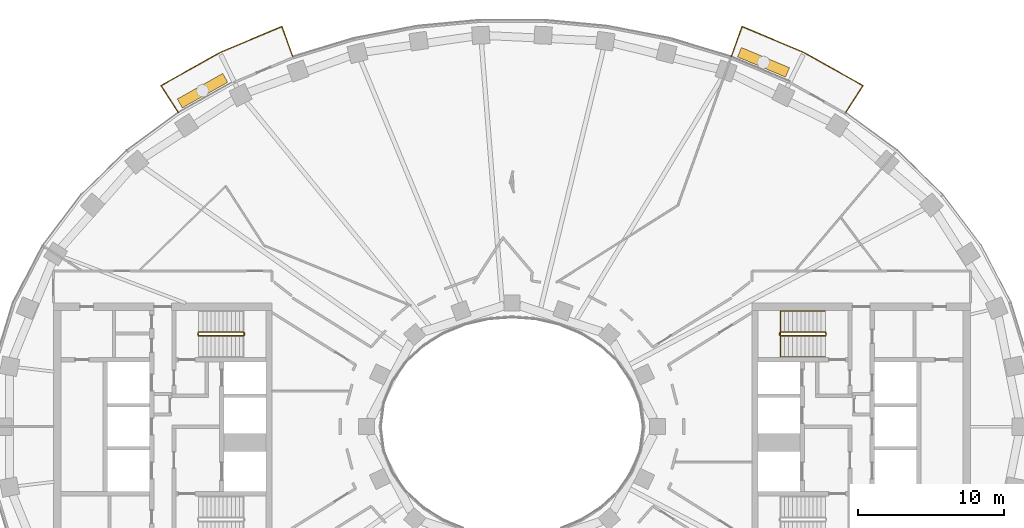
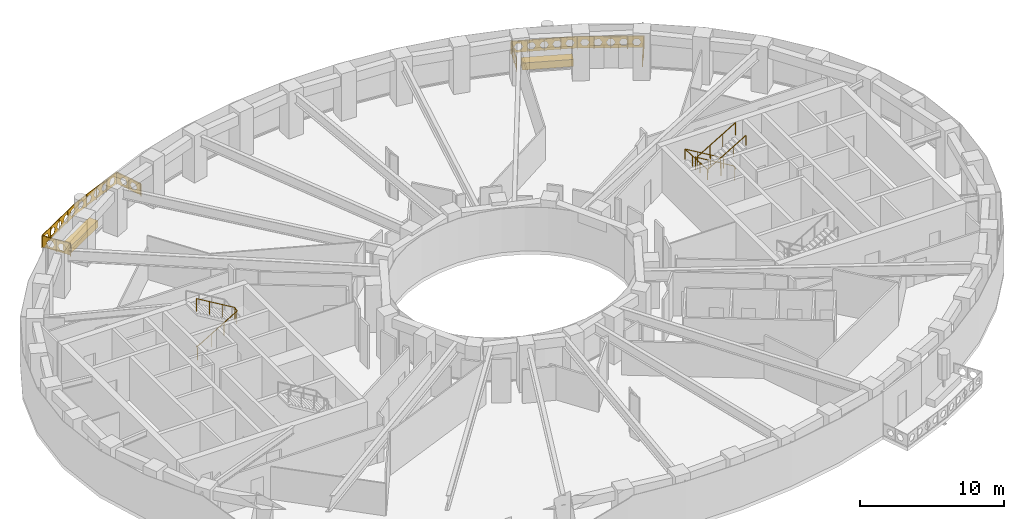
# One storey, part 14 of 15: 5 railings, 2 coverings.
"""IFC4 building model written with IfcOpenShell, lengths in metres."""

import ifcopenshell
import ifcopenshell.guid

model = None  # the IFC model being written
_history = None  # IfcOwnerHistory: only IFC2X3 demands one
_inside = {}  # id of a spatial element -> (the spatial element, [elements in it])
_under = {}  # id of a project, library or spatial element -> (it, [spatial elements below it])
_declared = {}  # id of a project -> (the project, [libraries it declares])
_typed = {}  # id of a type object -> (the type object, [elements of that type])
_made_of = {}  # id of a material, layer set ... -> (it, [elements and type objects made of it])


def new_model(schema):
    """Start an empty IFC model of exactly this schema.

    Asked for "IFC4X3", IfcOpenShell would pick the latest addendum, in which some entities
    have other attributes; the version numbers below select the first issue.
    IFC2X3 requires an IfcOwnerHistory on every rooted entity: one is made here for all.
    """
    global model, _history
    if schema == "IFC4X3":
        model = ifcopenshell.file(schema_version=(4, 3, 0, 0))
    else:
        model = ifcopenshell.file(schema=schema)
    _inside.clear()
    _under.clear()
    _declared.clear()
    _typed.clear()
    _made_of.clear()
    _history = None
    if model.schema == "IFC2X3":
        org = make("IfcOrganization", Name="unknown")
        user = make(
            "IfcPersonAndOrganization",
            ThePerson=make("IfcPerson", FamilyName="unknown"),
            TheOrganization=org,
        )
        app = make(
            "IfcApplication",
            ApplicationDeveloper=org,
            Version="unknown",
            ApplicationFullName="unknown",
            ApplicationIdentifier="unknown",
        )
        _history = make(
            "IfcOwnerHistory",
            OwningUser=user,
            OwningApplication=app,
            ChangeAction="ADDED",
            CreationDate=0,
        )
    return model


def make(cls, **values):
    """One entity of the class cls with the attributes given. An attribute that is None is left unset."""
    return model.create_entity(
        cls, **{name: value for name, value in values.items() if value is not None}
    )


def rooted(cls, **values):
    """An entity with a GlobalId (a new one), such as an element, a storey or a relation."""
    return make(cls, GlobalId=ifcopenshell.guid.new(), OwnerHistory=_history, **values)


def si_unit(unit_type, name, prefix=None):
    """IfcSIUnit, for example si_unit("LENGTHUNIT", "METRE", prefix="MILLI")."""
    return make("IfcSIUnit", UnitType=unit_type, Prefix=prefix, Name=name)


def assignment(units):
    """IfcUnitAssignment: the units of a project."""
    return None if units is None else make("IfcUnitAssignment", Units=units)


def point(xyz):
    """IfcCartesianPoint."""
    return None if xyz is None else make("IfcCartesianPoint", Coordinates=xyz)


def direction(xyz):
    """IfcDirection."""
    return None if xyz is None else make("IfcDirection", DirectionRatios=xyz)


def frame(location, z_axis=None, x_axis=None):
    """IfcAxis2Placement3D, a coordinate frame: its origin and axes. An axis left out is left unset."""
    return make(
        "IfcAxis2Placement3D",
        Location=point(location),
        Axis=direction(z_axis),
        RefDirection=direction(x_axis),
    )


def frame_2d(location, x_axis=None):
    """IfcAxis2Placement2D, a coordinate frame in the plane: its origin and x axis."""
    return make(
        "IfcAxis2Placement2D", Location=point(location), RefDirection=direction(x_axis)
    )


def origin():
    """The frame at (0, 0, 0) with its axes left unset."""
    return frame((0.0, 0.0, 0.0))


def origin_2d():
    """The frame at (0, 0) in the plane with its x axis left unset."""
    return frame_2d((0.0, 0.0))


def place(relative_to, where):
    """IfcLocalPlacement: puts the frame where relative to a parent placement (None: the world)."""
    return make(
        "IfcLocalPlacement", PlacementRelTo=relative_to, RelativePlacement=where
    )


def context(
    kind, dimensions, precision=None, world=None, true_north=None, identifier=None
):
    """IfcGeometricRepresentationContext, for example the 3D "Model" context."""
    return make(
        "IfcGeometricRepresentationContext",
        ContextIdentifier=identifier,
        ContextType=kind,
        CoordinateSpaceDimension=dimensions,
        Precision=precision,
        WorldCoordinateSystem=world,
        TrueNorth=true_north,
    )


def subcontext(parent, identifier, kind, view, scale=None):
    """IfcGeometricRepresentationSubContext, for example "Body" below "Model"."""
    return make(
        "IfcGeometricRepresentationSubContext",
        ContextIdentifier=identifier,
        ContextType=kind,
        ParentContext=parent,
        TargetScale=scale,
        TargetView=view,
    )


def project(units=None, contexts=None):
    """IfcProject with its units and contexts."""
    return rooted(
        "IfcProject",
        Name="project",
        RepresentationContexts=contexts,
        UnitsInContext=assignment(units),
    )


def spatial(cls, under=None, at=None, **own):
    """A site, building, storey or space (cls), placed at a placement, below another one or the project."""
    s = rooted(cls, ObjectPlacement=at, **own)
    if under is not None:
        _under.setdefault(under.id(), (under, []))[1].append(s)
    return s


def polyline(points):
    """IfcPolyline through the points."""
    return make("IfcPolyline", Points=[point(p) for p in points])


def profile(cls, at=None, kind="AREA", **sizes):
    """A parametric profile (cls). Its sizes go by their IFC names, for example OverallWidth=200.0."""
    return make(cls, ProfileType=kind, Position=at, **sizes)


def rectangle(**sizes):
    """IfcRectangleProfileDef."""
    return profile("IfcRectangleProfileDef", **sizes)


def outline(outer, holes=None, kind="AREA"):
    """IfcArbitraryClosedProfileDef: a profile drawn as a closed curve; with holes, ...WithVoids."""
    if holes is None:
        return make("IfcArbitraryClosedProfileDef", ProfileType=kind, OuterCurve=outer)
    return make(
        "IfcArbitraryProfileDefWithVoids",
        ProfileType=kind,
        OuterCurve=outer,
        InnerCurves=holes,
    )


def extrude(swept, where, along, depth):
    """IfcExtrudedAreaSolid: the profile swept, set in the frame where, extruded along a direction by depth."""
    return make(
        "IfcExtrudedAreaSolid",
        SweptArea=swept,
        Position=where,
        ExtrudedDirection=direction(along),
        Depth=depth,
    )


def shape(context_of_items, identifier, shape_type, items):
    """IfcShapeRepresentation: the items that make up one representation, for example the "Body"."""
    return make(
        "IfcShapeRepresentation",
        ContextOfItems=context_of_items,
        RepresentationIdentifier=identifier,
        RepresentationType=shape_type,
        Items=items,
    )


def material(Name=None, Category=None):
    """IfcMaterial."""
    return make("IfcMaterial", Name=Name, Category=Category)


def made_of(thing, what):
    """Note that an element or type object is made of a material, layer set ...; save() writes the relation."""
    if what is not None:
        _made_of.setdefault(what.id(), (what, []))[1].append(thing)
    return thing


def type_object(cls, material=None, **own):
    """A type object (cls), such as IfcWallType, which elements share."""
    return made_of(rooted(cls, **own), material)


def element(
    cls,
    number,
    at=None,
    inside=None,
    cuts=None,
    type_object=None,
    material=None,
    context=None,
    identifier="Body",
    shape_type=None,
    held_by="IfcProductDefinitionShape",
    body=None,
    shapes=None,
    **own,
):
    """One element of the class cls, such as IfcWall. Its Tag is "e" and its number.

    at: its placement. inside: the storey or other place that contains it. cuts: it is an
    opening in that element (IfcRelVoidsElement). A single representation is given by context,
    identifier, shape_type and body (its items); several are given by shapes. held_by: the class
    of the entity that holds the representations. save() writes the other relations.
    """
    e = rooted(cls, Tag="e%d" % number, ObjectPlacement=at, **own)
    if body is not None:
        shapes = [shape(context, identifier, shape_type, body)]
    if shapes is not None:
        e.Representation = make(held_by, Representations=shapes)
    if inside is not None:
        _inside.setdefault(inside.id(), (inside, []))[1].append(e)
    if cuts is not None:
        rooted(
            "IfcRelVoidsElement", RelatingBuildingElement=cuts, RelatedOpeningElement=e
        )
    if type_object is not None:
        _typed.setdefault(type_object.id(), (type_object, []))[1].append(e)
    return made_of(e, material)


def aggregate(whole, parts):
    """IfcRelAggregates: a whole, such as a stair, and the parts it consists of."""
    return rooted("IfcRelAggregates", RelatingObject=whole, RelatedObjects=parts)


def save(model, path):
    """Write the relations noted so far, then the file.

    IfcRelAggregates (storeys below a building ...), IfcRelContainedInSpatialStructure (elements
    in a storey), IfcRelDefinesByType, IfcRelAssociatesMaterial and IfcRelDeclares: one each for
    every whole, place, type object, material and project.
    """
    for whole, parts in _under.values():
        aggregate(whole, parts)
    for where, things in _inside.values():
        rooted(
            "IfcRelContainedInSpatialStructure",
            RelatedElements=things,
            RelatingStructure=where,
        )
    for kind, things in _typed.values():
        rooted("IfcRelDefinesByType", RelatedObjects=things, RelatingType=kind)
    for what, things in _made_of.values():
        rooted("IfcRelAssociatesMaterial", RelatedObjects=things, RelatingMaterial=what)
    for by, libraries in _declared.values():
        rooted("IfcRelDeclares", RelatingContext=by, RelatedDefinitions=libraries)
    model.write(path)


model = new_model("IFC4")

# Units and contexts
model_context = context("Model", 3, precision=1e-05, world=origin(), true_north=direction((0.0, 1.0)))
body_context = subcontext(model_context, "Body", "Model", "MODEL_VIEW")
ifc_project = project(units=[si_unit("LENGTHUNIT", "METRE"), si_unit("AREAUNIT", "SQUARE_METRE"), si_unit("VOLUMEUNIT", "CUBIC_METRE"), si_unit("PLANEANGLEUNIT", "RADIAN"), si_unit("MASSUNIT", "GRAM", prefix="KILO")], contexts=[model_context])

# Site, building, storey
site_placement = place(None, origin())
site = spatial("IfcSite", under=ifc_project, at=site_placement, CompositionType="ELEMENT")
building_placement = place(site_placement, origin())
building = spatial("IfcBuilding", under=site, at=building_placement, Name="Noorbagh Ring Tower", CompositionType="ELEMENT")
storey_placement = place(building_placement, frame((0.0, 0.0, 158.0)))
storey = spatial("IfcBuildingStorey", under=building, at=storey_placement, Name="L36", CompositionType="ELEMENT", Elevation=158.0)

# Railings
ifc_material_1 = material(Name="Stainless steel", Category="steel")
railing_type_1 = type_object("IfcRailingType", Name="CORE-STAIR-GUARD", PredefinedType="GUARDRAIL", material=ifc_material_1)
railing_1_placement = place(storey_placement, frame((-21.580078125, 6.300048828125, 0.0)))
element("IfcRailing", 1, at=railing_1_placement, inside=storey, type_object=railing_type_1, Name="L36 ST1 stair guard", PredefinedType="GUARDRAIL", context=body_context, shape_type="SweptSolid", body=[
    extrude(rectangle(XDim=0.048095703125, YDim=0.048095703125, at=origin_2d()), frame((0.0, 0.0, 1.076171875), z_axis=(0.0, 1.0, 0.0), x_axis=(-1.0, 0.0, 0.0)), (0.0, 0.0, 1.0), 0.14990234375),
    extrude(rectangle(XDim=0.048095703125, YDim=0.048095703125, at=origin_2d()), frame((0.0, 0.14990234375, 1.076171875), z_axis=(0.188775798145, -0.754182335027, 0.628945707965), x_axis=(0.970072785993, 0.242814311512, 0.0)), (0.0, 0.0, 1.0), 0.26513671875),
    extrude(rectangle(XDim=0.048095703125, YDim=0.048095703125, at=origin_2d()), frame((0.050048828125, -0.050048828125, 1.24267578125), z_axis=(0.859308565015, 0.0, 0.511457515432), x_axis=(0.0, 1.0, 0.0)), (0.0, 0.0, 1.0), 3.58447265625),
    extrude(rectangle(XDim=0.048095703125, YDim=0.048095703125, at=origin_2d()), frame((3.130126953125, -0.050048828125, 3.076171875), z_axis=(0.707106781187, 0.707106781187, 0.0), x_axis=(-0.707106781187, 0.707106781187, 0.0)), (0.0, 0.0, 1.0), 0.07080078125),
    extrude(rectangle(XDim=0.048095703125, YDim=0.048095703125, at=origin_2d()), frame((3.18017578125, 0.0, 3.076171875), z_axis=(0.0, 1.0, 0.0), x_axis=(-1.0, 0.0, 0.0)), (0.0, 0.0, 1.0), 0.14990234375),
    extrude(rectangle(XDim=0.048095703125, YDim=0.048095703125, at=origin_2d()), frame((3.18017578125, 0.14990234375, 3.076171875), z_axis=(-0.27628659633, 0.27628659633, 0.920506074601), x_axis=(-0.707106781187, -0.707106781187, 0.0)), (0.0, 0.0, 1.0), 0.18115234375),
    extrude(rectangle(XDim=0.048095703125, YDim=0.048095703125, at=origin_2d()), frame((3.130126953125, 0.199951171875, 3.24267578125), z_axis=(-0.859308565015, 0.0, 0.511457515432), x_axis=(0.0, -1.0, 0.0)), (0.0, 0.0, 1.0), 3.58447265625),
    extrude(rectangle(XDim=0.0419921875, YDim=0.0419921875, at=origin_2d()), origin(), (0.0, 0.0, 1.0), 1.052001953125),
    extrude(rectangle(XDim=0.0419921875, YDim=0.0419921875, at=origin_2d()), frame((1.07666015625, -0.050048828125, 0.77783203125)), (0.0, 0.0, 1.0), 1.052001953125),
    extrude(rectangle(XDim=0.0419921875, YDim=0.0419921875, at=origin_2d()), frame((2.103515625, -0.050048828125, 1.388916015625)), (0.0, 0.0, 1.0), 1.052001953125),
    extrude(rectangle(XDim=0.0419921875, YDim=0.0419921875, at=origin_2d()), frame((3.130126953125, -0.050048828125, 2.0)), (0.0, 0.0, 1.0), 1.052001953125),
    extrude(rectangle(XDim=0.0419921875, YDim=0.0419921875, at=origin_2d()), frame((3.130126953125, 0.199951171875, 2.166748046875)), (0.0, 0.0, 1.0), 1.052001953125),
    extrude(rectangle(XDim=0.0419921875, YDim=0.0419921875, at=origin_2d()), frame((2.103515625, 0.199951171875, 2.77783203125)), (0.0, 0.0, 1.0), 1.052001953125),
    extrude(rectangle(XDim=0.0419921875, YDim=0.0419921875, at=origin_2d()), frame((1.07666015625, 0.199951171875, 3.388916015625)), (0.0, 0.0, 1.0), 1.052001953125),
    extrude(rectangle(XDim=0.0419921875, YDim=0.0419921875, at=origin_2d()), frame((0.050048828125, 0.199951171875, 4.0)), (0.0, 0.0, 1.0), 1.052001953125),
])
railing_2_placement = place(storey_placement, frame((21.580078125, 6.449951171875, 0.0)))
element("IfcRailing", 2, at=railing_2_placement, inside=storey, type_object=railing_type_1, Name="L36 ST3 stair guard", PredefinedType="GUARDRAIL", context=body_context, shape_type="SweptSolid", body=[
    extrude(rectangle(XDim=0.048095703125, YDim=0.048095703125, at=origin_2d()), frame((0.0, 0.0, 1.076171875), z_axis=(0.0, -1.0, 0.0), x_axis=(1.0, 0.0, 0.0)), (0.0, 0.0, 1.0), 0.14990234375),
    extrude(rectangle(XDim=0.048095703125, YDim=0.048095703125, at=origin_2d()), frame((0.0, -0.14990234375, 1.076171875), z_axis=(-0.188775798145, 0.754182335027, 0.628945707965), x_axis=(-0.970072785993, -0.242814311512, 0.0)), (0.0, 0.0, 1.0), 0.26513671875),
    extrude(rectangle(XDim=0.048095703125, YDim=0.048095703125, at=origin_2d()), frame((-0.050048828125, 0.050048828125, 1.24267578125), z_axis=(-0.859308565015, 0.0, 0.511457515432), x_axis=(0.0, -1.0, 0.0)), (0.0, 0.0, 1.0), 3.58447265625),
    extrude(rectangle(XDim=0.048095703125, YDim=0.048095703125, at=origin_2d()), frame((-3.130126953125, 0.050048828125, 3.076171875), z_axis=(-0.707106781187, -0.707106781187, 0.0), x_axis=(0.707106781187, -0.707106781187, 0.0)), (0.0, 0.0, 1.0), 0.07080078125),
    extrude(rectangle(XDim=0.048095703125, YDim=0.048095703125, at=origin_2d()), frame((-3.18017578125, 0.0, 3.076171875), z_axis=(0.0, -1.0, 0.0), x_axis=(1.0, 0.0, 0.0)), (0.0, 0.0, 1.0), 0.14990234375),
    extrude(rectangle(XDim=0.048095703125, YDim=0.048095703125, at=origin_2d()), frame((-3.18017578125, -0.14990234375, 3.076171875), z_axis=(0.27628659633, -0.27628659633, 0.920506074601), x_axis=(0.707106781187, 0.707106781187, 0.0)), (0.0, 0.0, 1.0), 0.18115234375),
    extrude(rectangle(XDim=0.048095703125, YDim=0.048095703125, at=origin_2d()), frame((-3.130126953125, -0.199951171875, 3.24267578125), z_axis=(0.859308565015, 0.0, 0.511457515432), x_axis=(0.0, 1.0, 0.0)), (0.0, 0.0, 1.0), 3.58447265625),
    extrude(rectangle(XDim=0.0419921875, YDim=0.0419921875, at=origin_2d()), origin(), (0.0, 0.0, 1.0), 1.052001953125),
    extrude(rectangle(XDim=0.0419921875, YDim=0.0419921875, at=origin_2d()), frame((-1.07666015625, 0.050048828125, 0.77783203125)), (0.0, 0.0, 1.0), 1.052001953125),
    extrude(rectangle(XDim=0.0419921875, YDim=0.0419921875, at=origin_2d()), frame((-2.103515625, 0.050048828125, 1.388916015625)), (0.0, 0.0, 1.0), 1.052001953125),
    extrude(rectangle(XDim=0.0419921875, YDim=0.0419921875, at=origin_2d()), frame((-3.130126953125, 0.050048828125, 2.0)), (0.0, 0.0, 1.0), 1.052001953125),
    extrude(rectangle(XDim=0.0419921875, YDim=0.0419921875, at=origin_2d()), frame((-3.130126953125, -0.199951171875, 2.166748046875)), (0.0, 0.0, 1.0), 1.052001953125),
    extrude(rectangle(XDim=0.0419921875, YDim=0.0419921875, at=origin_2d()), frame((-2.103515625, -0.199951171875, 2.77783203125)), (0.0, 0.0, 1.0), 1.052001953125),
    extrude(rectangle(XDim=0.0419921875, YDim=0.0419921875, at=origin_2d()), frame((-1.07666015625, -0.199951171875, 3.388916015625)), (0.0, 0.0, 1.0), 1.052001953125),
    extrude(rectangle(XDim=0.0419921875, YDim=0.0419921875, at=origin_2d()), frame((-0.050048828125, -0.199951171875, 4.0)), (0.0, 0.0, 1.0), 1.052001953125),
])
ifc_material_2 = material(Name="Stainless steel", Category="steel")
railing_type_2 = type_object("IfcRailingType", Name="CORE-STAIR-HANDRAIL", PredefinedType="HANDRAIL", material=ifc_material_2)
railing_3_placement = place(storey_placement, frame((21.530029296875, 7.949951171875, 0.166748046875)))
element("IfcRailing", 3, at=railing_3_placement, inside=storey, type_object=railing_type_2, Name="L36 ST3 stair handrail", PredefinedType="HANDRAIL", context=body_context, shape_type="SweptSolid", body=[
    extrude(rectangle(XDim=0.048095703125, YDim=0.048095703125, at=origin_2d()), frame((0.0, 0.0, 0.8759765625), z_axis=(-0.859308565015, 0.0, 0.511457515432), x_axis=(0.0, -1.0, 0.0)), (0.0, 0.0, 1.0), 3.58447265625),
    extrude(rectangle(XDim=0.048095703125, YDim=0.048095703125, at=origin_2d()), frame((-3.080078125, 0.0, 2.708984375), z_axis=(0.0, -0.998601747152, 0.052863509014), x_axis=(1.0, 0.0, 0.0)), (0.0, 0.0, 1.0), 3.154296875),
    extrude(rectangle(XDim=0.048095703125, YDim=0.048095703125, at=origin_2d()), frame((-3.080078125, -3.14990234375, 2.8759765625), z_axis=(0.859308565015, 0.0, 0.511457515432), x_axis=(0.0, 1.0, 0.0)), (0.0, 0.0, 1.0), 3.58447265625),
    extrude(rectangle(XDim=0.0419921875, YDim=0.0419921875, at=origin_2d()), origin(), (0.0, 0.0, 1.0), 0.851806640625),
    extrude(rectangle(XDim=0.0419921875, YDim=0.0419921875, at=origin_2d()), frame((-1.026611328125, 0.0, 0.611083984375)), (0.0, 0.0, 1.0), 0.851806640625),
    extrude(rectangle(XDim=0.0419921875, YDim=0.0419921875, at=origin_2d()), frame((-2.053466796875, 0.0, 1.22216796875)), (0.0, 0.0, 1.0), 0.851806640625),
    extrude(rectangle(XDim=0.0419921875, YDim=0.0419921875, at=origin_2d()), frame((-3.080078125, 0.0, 1.833251953125)), (0.0, 0.0, 1.0), 0.851806640625),
    extrude(rectangle(XDim=0.0419921875, YDim=0.0419921875, at=origin_2d()), frame((-3.080078125, -1.050048828125, 1.888916015625)), (0.0, 0.0, 1.0), 0.851806640625),
    extrude(rectangle(XDim=0.0419921875, YDim=0.0419921875, at=origin_2d()), frame((-3.080078125, -2.099853515625, 1.9443359375)), (0.0, 0.0, 1.0), 0.851806640625),
    extrude(rectangle(XDim=0.0419921875, YDim=0.0419921875, at=origin_2d()), frame((-3.080078125, -3.14990234375, 2.0)), (0.0, 0.0, 1.0), 0.851806640625),
    extrude(rectangle(XDim=0.0419921875, YDim=0.0419921875, at=origin_2d()), frame((-2.053466796875, -3.14990234375, 2.611083984375)), (0.0, 0.0, 1.0), 0.851806640625),
    extrude(rectangle(XDim=0.0419921875, YDim=0.0419921875, at=origin_2d()), frame((-1.026611328125, -3.14990234375, 3.22216796875)), (0.0, 0.0, 1.0), 0.851806640625),
    extrude(rectangle(XDim=0.0419921875, YDim=0.0419921875, at=origin_2d()), frame((0.0, -3.14990234375, 3.833251953125)), (0.0, 0.0, 1.0), 0.851806640625),
])
ifc_material_3 = material(Name="Steel S275 black powder-coated", Category="steel")
railing_type_3 = type_object("IfcRailingType", Name="ENV-GUARD", PredefinedType="GUARDRAIL", material=ifc_material_3)
railing_4_placement = place(storey_placement, frame((22.9326171875, 21.583740234375, 0.0)))
element("IfcRailing", 4, at=railing_4_placement, inside=storey, type_object=railing_type_3, Name="Balcony guard BN02", PredefinedType="GUARDRAIL", context=body_context, shape_type="SweptSolid", body=[
    extrude(rectangle(XDim=0.048095703125, YDim=0.048095703125, at=origin_2d()), frame((0.0, 0.0, 1.076171875), z_axis=(0.542268136821, 0.840205491406, 0.0), x_axis=(-0.840205491406, 0.542268136821, 0.0)), (0.0, 0.0, 1.0), 2.204345703125),
    extrude(rectangle(XDim=0.048095703125, YDim=0.048095703125, at=origin_2d()), frame((1.1953125, 1.85205078125, 1.076171875), z_axis=(-0.872052247658, 0.489412788303, 0.0), x_axis=(-0.489412788303, -0.872052247658, 0.0)), (0.0, 0.0, 1.0), 4.646240234375),
    extrude(rectangle(XDim=0.048095703125, YDim=0.048095703125, at=origin_2d()), frame((-2.8564453125, 4.1259765625, 1.076171875), z_axis=(-0.921809087722, 0.387644174203, 0.0), x_axis=(-0.387644174203, -0.921809087722, 0.0)), (0.0, 0.0, 1.0), 4.627197265625),
    extrude(rectangle(XDim=0.048095703125, YDim=0.048095703125, at=origin_2d()), frame((-7.121826171875, 5.919677734375, 1.076171875), z_axis=(-0.338350546839, -0.941020141896, 0.0), x_axis=(0.941020141896, -0.338350546839, 0.0)), (0.0, 0.0, 1.0), 2.202880859375),
    extrude(rectangle(XDim=0.0419921875, YDim=0.0419921875, at=origin_2d()), origin(), (0.0, 0.0, 1.0), 1.052001953125),
    extrude(rectangle(XDim=0.0419921875, YDim=0.0419921875, at=origin_2d()), frame((0.59765625, 0.926025390625, 0.0)), (0.0, 0.0, 1.0), 1.052001953125),
    extrude(rectangle(XDim=0.0419921875, YDim=0.0419921875, at=origin_2d()), frame((1.1953125, 1.85205078125, 0.0)), (0.0, 0.0, 1.0), 1.052001953125),
    extrude(rectangle(XDim=0.0419921875, YDim=0.0419921875, at=origin_2d()), frame((0.182373046875, 2.42041015625, 0.0)), (0.0, 0.0, 1.0), 1.052001953125),
    extrude(rectangle(XDim=0.0419921875, YDim=0.0419921875, at=origin_2d()), frame((-0.83056640625, 2.989013671875, 0.0)), (0.0, 0.0, 1.0), 1.052001953125),
    extrude(rectangle(XDim=0.0419921875, YDim=0.0419921875, at=origin_2d()), frame((-1.843505859375, 3.5576171875, 0.0)), (0.0, 0.0, 1.0), 1.052001953125),
    extrude(rectangle(XDim=0.0419921875, YDim=0.0419921875, at=origin_2d()), frame((-2.8564453125, 4.1259765625, 0.0)), (0.0, 0.0, 1.0), 1.052001953125),
    extrude(rectangle(XDim=0.0419921875, YDim=0.0419921875, at=origin_2d()), frame((-3.9228515625, 4.574462890625, 0.0)), (0.0, 0.0, 1.0), 1.052001953125),
    extrude(rectangle(XDim=0.0419921875, YDim=0.0419921875, at=origin_2d()), frame((-4.9892578125, 5.02294921875, 0.0)), (0.0, 0.0, 1.0), 1.052001953125),
    extrude(rectangle(XDim=0.0419921875, YDim=0.0419921875, at=origin_2d()), frame((-6.055419921875, 5.47119140625, 0.0)), (0.0, 0.0, 1.0), 1.052001953125),
    extrude(rectangle(XDim=0.0419921875, YDim=0.0419921875, at=origin_2d()), frame((-7.121826171875, 5.919677734375, 0.0)), (0.0, 0.0, 1.0), 1.052001953125),
    extrude(rectangle(XDim=0.0419921875, YDim=0.0419921875, at=origin_2d()), frame((-7.49462890625, 4.88330078125, 0.0)), (0.0, 0.0, 1.0), 1.052001953125),
    extrude(rectangle(XDim=0.0419921875, YDim=0.0419921875, at=origin_2d()), frame((-7.8671875, 3.8466796875, 0.0)), (0.0, 0.0, 1.0), 1.052001953125),
    extrude(outline(polyline([(0.0, 0.10009765625), (2.204345703125, 0.10009765625), (2.204345703125, 1.031982421875), (0.0, 1.031982421875), (0.0, 0.10009765625)]), holes=[polyline([(0.962158203125, 0.56591796875), (0.80712890625, 0.83447265625), (0.4970703125, 0.83447265625), (0.342041015625, 0.56591796875), (0.4970703125, 0.297607421875), (0.80712890625, 0.297607421875), (0.962158203125, 0.56591796875)]), polyline([(1.862060546875, 0.56591796875), (1.70703125, 0.83447265625), (1.397216796875, 0.83447265625), (1.2421875, 0.56591796875), (1.397216796875, 0.297607421875), (1.70703125, 0.297607421875), (1.862060546875, 0.56591796875)])]), frame((-0.00830078125, 0.00537109375, 0.0), z_axis=(0.840205491406, -0.542268136821, 0.0), x_axis=(0.542268136821, 0.840205491406, 0.0)), (0.0, 0.0, 1.0), 0.02001953125),
    extrude(outline(polyline([(0.0, 0.10009765625), (4.646240234375, 0.10009765625), (4.646240234375, 1.031982421875), (0.0, 1.031982421875), (0.0, 0.10009765625)]), holes=[polyline([(0.8330078125, 0.56591796875), (0.67822265625, 0.83447265625), (0.3681640625, 0.83447265625), (0.213134765625, 0.56591796875), (0.3681640625, 0.297607421875), (0.67822265625, 0.297607421875), (0.8330078125, 0.56591796875)]), polyline([(1.733154296875, 0.56591796875), (1.578125, 0.83447265625), (1.26806640625, 0.83447265625), (1.113037109375, 0.56591796875), (1.26806640625, 0.297607421875), (1.578125, 0.297607421875), (1.733154296875, 0.56591796875)]), polyline([(2.633056640625, 0.56591796875), (2.47802734375, 0.83447265625), (2.168212890625, 0.83447265625), (2.01318359375, 0.56591796875), (2.168212890625, 0.297607421875), (2.47802734375, 0.297607421875), (2.633056640625, 0.56591796875)]), polyline([(3.533203125, 0.56591796875), (3.378173828125, 0.83447265625), (3.068115234375, 0.83447265625), (2.9130859375, 0.56591796875), (3.068115234375, 0.297607421875), (3.378173828125, 0.297607421875), (3.533203125, 0.56591796875)]), polyline([(4.43310546875, 0.56591796875), (4.278076171875, 0.83447265625), (3.968017578125, 0.83447265625), (3.813232421875, 0.56591796875), (3.968017578125, 0.297607421875), (4.278076171875, 0.297607421875), (4.43310546875, 0.56591796875)])]), frame((1.1904296875, 1.84326171875, 0.0), z_axis=(0.489412788303, 0.872052247658, 0.0), x_axis=(-0.872052247658, 0.489412788303, 0.0)), (0.0, 0.0, 1.0), 0.02001953125),
    extrude(outline(polyline([(0.0, 0.10009765625), (4.627197265625, 0.10009765625), (4.627197265625, 1.031982421875), (0.0, 1.031982421875), (0.0, 0.10009765625)]), holes=[polyline([(0.823486328125, 0.56591796875), (0.668701171875, 0.83447265625), (0.358642578125, 0.83447265625), (0.20361328125, 0.56591796875), (0.358642578125, 0.297607421875), (0.668701171875, 0.297607421875), (0.823486328125, 0.56591796875)]), polyline([(1.7236328125, 0.56591796875), (1.568603515625, 0.83447265625), (1.258544921875, 0.83447265625), (1.103515625, 0.56591796875), (1.258544921875, 0.297607421875), (1.568603515625, 0.297607421875), (1.7236328125, 0.56591796875)]), polyline([(2.62353515625, 0.56591796875), (2.468505859375, 0.83447265625), (2.15869140625, 0.83447265625), (2.003662109375, 0.56591796875), (2.15869140625, 0.297607421875), (2.468505859375, 0.297607421875), (2.62353515625, 0.56591796875)]), polyline([(3.523681640625, 0.56591796875), (3.36865234375, 0.83447265625), (3.05859375, 0.83447265625), (2.903564453125, 0.56591796875), (3.05859375, 0.297607421875), (3.36865234375, 0.297607421875), (3.523681640625, 0.56591796875)]), polyline([(4.423583984375, 0.56591796875), (4.2685546875, 0.83447265625), (3.95849609375, 0.83447265625), (3.8037109375, 0.56591796875), (3.95849609375, 0.297607421875), (4.2685546875, 0.297607421875), (4.423583984375, 0.56591796875)])]), frame((-2.8603515625, 4.11669921875, 0.0), z_axis=(0.387644174203, 0.921809087722, 0.0), x_axis=(-0.921809087722, 0.387644174203, 0.0)), (0.0, 0.0, 1.0), 0.02001953125),
    extrude(outline(polyline([(0.0, 0.10009765625), (2.202880859375, 0.10009765625), (2.202880859375, 1.031982421875), (0.0, 1.031982421875), (0.0, 0.10009765625)]), holes=[polyline([(0.96142578125, 0.56591796875), (0.806396484375, 0.83447265625), (0.49658203125, 0.83447265625), (0.341552734375, 0.56591796875), (0.49658203125, 0.297607421875), (0.806396484375, 0.297607421875), (0.96142578125, 0.56591796875)]), polyline([(1.861572265625, 0.56591796875), (1.70654296875, 0.83447265625), (1.396484375, 0.83447265625), (1.241455078125, 0.56591796875), (1.396484375, 0.297607421875), (1.70654296875, 0.297607421875), (1.861572265625, 0.56591796875)])]), frame((-7.1123046875, 5.916259765625, 0.0), z_axis=(-0.941020141896, 0.338350546839, 0.0), x_axis=(-0.338350546839, -0.941020141896, 0.0)), (0.0, 0.0, 1.0), 0.02001953125),
])
railing_5_placement = place(storey_placement, frame((-15.0654296875, 25.430419921875, 0.0)))
element("IfcRailing", 5, at=railing_5_placement, inside=storey, type_object=railing_type_3, Name="Balcony guard BN05", PredefinedType="GUARDRAIL", context=body_context, shape_type="SweptSolid", body=[
    extrude(rectangle(XDim=0.048095703125, YDim=0.048095703125, at=origin_2d()), frame((0.0, 0.0, 1.076171875), z_axis=(-0.338350546839, 0.941020141896, 0.0), x_axis=(-0.941020141896, -0.338350546839, 0.0)), (0.0, 0.0, 1.0), 2.202880859375),
    extrude(rectangle(XDim=0.048095703125, YDim=0.048095703125, at=origin_2d()), frame((-0.745361328125, 2.072998046875, 1.076171875), z_axis=(-0.921809087722, -0.387644174203, 0.0), x_axis=(0.387644174203, -0.921809087722, 0.0)), (0.0, 0.0, 1.0), 4.627197265625),
    extrude(rectangle(XDim=0.048095703125, YDim=0.048095703125, at=origin_2d()), frame((-5.0107421875, 0.279296875, 1.076171875), z_axis=(-0.872052247658, -0.489412788303, 0.0), x_axis=(0.489412788303, -0.872052247658, 0.0)), (0.0, 0.0, 1.0), 4.646240234375),
    extrude(rectangle(XDim=0.048095703125, YDim=0.048095703125, at=origin_2d()), frame((-9.0625, -1.99462890625, 1.076171875), z_axis=(0.542268136821, -0.840205491406, 0.0), x_axis=(0.840205491406, 0.542268136821, 0.0)), (0.0, 0.0, 1.0), 2.204345703125),
    extrude(rectangle(XDim=0.0419921875, YDim=0.0419921875, at=origin_2d()), origin(), (0.0, 0.0, 1.0), 1.052001953125),
    extrude(rectangle(XDim=0.0419921875, YDim=0.0419921875, at=origin_2d()), frame((-0.37255859375, 1.03662109375, 0.0)), (0.0, 0.0, 1.0), 1.052001953125),
    extrude(rectangle(XDim=0.0419921875, YDim=0.0419921875, at=origin_2d()), frame((-0.745361328125, 2.072998046875, 0.0)), (0.0, 0.0, 1.0), 1.052001953125),
    extrude(rectangle(XDim=0.0419921875, YDim=0.0419921875, at=origin_2d()), frame((-1.811767578125, 1.62451171875, 0.0)), (0.0, 0.0, 1.0), 1.052001953125),
    extrude(rectangle(XDim=0.0419921875, YDim=0.0419921875, at=origin_2d()), frame((-2.8779296875, 1.17626953125, 0.0)), (0.0, 0.0, 1.0), 1.052001953125),
    extrude(rectangle(XDim=0.0419921875, YDim=0.0419921875, at=origin_2d()), frame((-3.9443359375, 0.727783203125, 0.0)), (0.0, 0.0, 1.0), 1.052001953125),
    extrude(rectangle(XDim=0.0419921875, YDim=0.0419921875, at=origin_2d()), frame((-5.0107421875, 0.279296875, 0.0)), (0.0, 0.0, 1.0), 1.052001953125),
    extrude(rectangle(XDim=0.0419921875, YDim=0.0419921875, at=origin_2d()), frame((-6.023681640625, -0.2890625, 0.0)), (0.0, 0.0, 1.0), 1.052001953125),
    extrude(rectangle(XDim=0.0419921875, YDim=0.0419921875, at=origin_2d()), frame((-7.03662109375, -0.857666015625, 0.0)), (0.0, 0.0, 1.0), 1.052001953125),
    extrude(rectangle(XDim=0.0419921875, YDim=0.0419921875, at=origin_2d()), frame((-8.049560546875, -1.42626953125, 0.0)), (0.0, 0.0, 1.0), 1.052001953125),
    extrude(rectangle(XDim=0.0419921875, YDim=0.0419921875, at=origin_2d()), frame((-9.0625, -1.99462890625, 0.0)), (0.0, 0.0, 1.0), 1.052001953125),
    extrude(rectangle(XDim=0.0419921875, YDim=0.0419921875, at=origin_2d()), frame((-8.46484375, -2.920654296875, 0.0)), (0.0, 0.0, 1.0), 1.052001953125),
    extrude(rectangle(XDim=0.0419921875, YDim=0.0419921875, at=origin_2d()), frame((-7.8671875, -3.8466796875, 0.0)), (0.0, 0.0, 1.0), 1.052001953125),
    extrude(outline(polyline([(0.0, 0.10009765625), (2.202880859375, 0.10009765625), (2.202880859375, 1.031982421875), (0.0, 1.031982421875), (0.0, 0.10009765625)]), holes=[polyline([(0.96142578125, 0.56591796875), (0.806396484375, 0.83447265625), (0.49658203125, 0.83447265625), (0.341552734375, 0.56591796875), (0.49658203125, 0.297607421875), (0.806396484375, 0.297607421875), (0.96142578125, 0.56591796875)]), polyline([(1.861572265625, 0.56591796875), (1.70654296875, 0.83447265625), (1.396484375, 0.83447265625), (1.241455078125, 0.56591796875), (1.396484375, 0.297607421875), (1.70654296875, 0.297607421875), (1.861572265625, 0.56591796875)])]), frame((-0.009521484375, -0.00341796875, 0.0), z_axis=(0.941020141896, 0.338350546839, 0.0), x_axis=(-0.338350546839, 0.941020141896, 0.0)), (0.0, 0.0, 1.0), 0.02001953125),
    extrude(outline(polyline([(0.0, 0.10009765625), (4.627197265625, 0.10009765625), (4.627197265625, 1.031982421875), (0.0, 1.031982421875), (0.0, 0.10009765625)]), holes=[polyline([(0.823486328125, 0.56591796875), (0.668701171875, 0.83447265625), (0.358642578125, 0.83447265625), (0.20361328125, 0.56591796875), (0.358642578125, 0.297607421875), (0.668701171875, 0.297607421875), (0.823486328125, 0.56591796875)]), polyline([(1.7236328125, 0.56591796875), (1.568603515625, 0.83447265625), (1.258544921875, 0.83447265625), (1.103515625, 0.56591796875), (1.258544921875, 0.297607421875), (1.568603515625, 0.297607421875), (1.7236328125, 0.56591796875)]), polyline([(2.62353515625, 0.56591796875), (2.468505859375, 0.83447265625), (2.15869140625, 0.83447265625), (2.003662109375, 0.56591796875), (2.15869140625, 0.297607421875), (2.468505859375, 0.297607421875), (2.62353515625, 0.56591796875)]), polyline([(3.523681640625, 0.56591796875), (3.36865234375, 0.83447265625), (3.05859375, 0.83447265625), (2.903564453125, 0.56591796875), (3.05859375, 0.297607421875), (3.36865234375, 0.297607421875), (3.523681640625, 0.56591796875)]), polyline([(4.423583984375, 0.56591796875), (4.2685546875, 0.83447265625), (3.95849609375, 0.83447265625), (3.8037109375, 0.56591796875), (3.95849609375, 0.297607421875), (4.2685546875, 0.297607421875), (4.423583984375, 0.56591796875)])]), frame((-0.741455078125, 2.063720703125, 0.0), z_axis=(-0.387644174203, 0.921809087722, 0.0), x_axis=(-0.921809087722, -0.387644174203, 0.0)), (0.0, 0.0, 1.0), 0.02001953125),
    extrude(outline(polyline([(0.0, 0.10009765625), (4.646240234375, 0.10009765625), (4.646240234375, 1.031982421875), (0.0, 1.031982421875), (0.0, 0.10009765625)]), holes=[polyline([(0.8330078125, 0.56591796875), (0.67822265625, 0.83447265625), (0.3681640625, 0.83447265625), (0.213134765625, 0.56591796875), (0.3681640625, 0.297607421875), (0.67822265625, 0.297607421875), (0.8330078125, 0.56591796875)]), polyline([(1.733154296875, 0.56591796875), (1.578125, 0.83447265625), (1.26806640625, 0.83447265625), (1.113037109375, 0.56591796875), (1.26806640625, 0.297607421875), (1.578125, 0.297607421875), (1.733154296875, 0.56591796875)]), polyline([(2.633056640625, 0.56591796875), (2.47802734375, 0.83447265625), (2.168212890625, 0.83447265625), (2.01318359375, 0.56591796875), (2.168212890625, 0.297607421875), (2.47802734375, 0.297607421875), (2.633056640625, 0.56591796875)]), polyline([(3.533203125, 0.56591796875), (3.378173828125, 0.83447265625), (3.068115234375, 0.83447265625), (2.9130859375, 0.56591796875), (3.068115234375, 0.297607421875), (3.378173828125, 0.297607421875), (3.533203125, 0.56591796875)]), polyline([(4.43310546875, 0.56591796875), (4.278076171875, 0.83447265625), (3.968017578125, 0.83447265625), (3.813232421875, 0.56591796875), (3.968017578125, 0.297607421875), (4.278076171875, 0.297607421875), (4.43310546875, 0.56591796875)])]), frame((-5.005859375, 0.2705078125, 0.0), z_axis=(-0.489412788303, 0.872052247658, 0.0), x_axis=(-0.872052247658, -0.489412788303, 0.0)), (0.0, 0.0, 1.0), 0.02001953125),
    extrude(outline(polyline([(0.0, 0.10009765625), (2.204345703125, 0.10009765625), (2.204345703125, 1.031982421875), (0.0, 1.031982421875), (0.0, 0.10009765625)]), holes=[polyline([(0.962158203125, 0.56591796875), (0.80712890625, 0.83447265625), (0.4970703125, 0.83447265625), (0.342041015625, 0.56591796875), (0.4970703125, 0.297607421875), (0.80712890625, 0.297607421875), (0.962158203125, 0.56591796875)]), polyline([(1.862060546875, 0.56591796875), (1.70703125, 0.83447265625), (1.397216796875, 0.83447265625), (1.2421875, 0.56591796875), (1.397216796875, 0.297607421875), (1.70703125, 0.297607421875), (1.862060546875, 0.56591796875)])]), frame((-9.05419921875, -1.9892578125, 0.0), z_axis=(-0.840205491406, -0.542268136821, 0.0), x_axis=(0.542268136821, -0.840205491406, 0.0)), (0.0, 0.0, 1.0), 0.02001953125),
])

# Coverings
ifc_material_4 = material(Name="Concrete C30/37 planter with soil", Category="concrete")
covering_type = type_object("IfcCoveringType", Name="ENV-PLANTER", PredefinedType="CLADDING", material=ifc_material_4)
covering_1_placement = place(storey_placement, frame((17.280517578125, 25.041259765625, 0.0), z_axis=(0.0, 0.0, 1.0), x_axis=(-0.921811566494, 0.387638279686, 0.0)))
element("IfcCovering", 6, at=covering_1_placement, inside=storey, type_object=covering_type, Name="PLANTER BN02", ObjectType="PLANTER", PredefinedType="CLADDING", context=body_context, shape_type="SweptSolid", body=[
    extrude(rectangle(XDim=3.5859375, YDim=0.699951171875, at=origin_2d()), origin(), (0.0, 0.0, 1.0), 0.60009765625),
])
covering_2_placement = place(storey_placement, frame((-21.26513671875, 23.093017578125, 0.0), z_axis=(0.0, 0.0, 1.0), x_axis=(-0.872044586249, -0.48942643941, 0.0)))
element("IfcCovering", 7, at=covering_2_placement, inside=storey, type_object=covering_type, Name="PLANTER BN05", ObjectType="PLANTER", PredefinedType="CLADDING", context=body_context, shape_type="SweptSolid", body=[
    extrude(rectangle(XDim=3.58544921875, YDim=0.699951171875, at=origin_2d()), origin(), (0.0, 0.0, 1.0), 0.60009765625),
])

save(model, "model.ifc")
